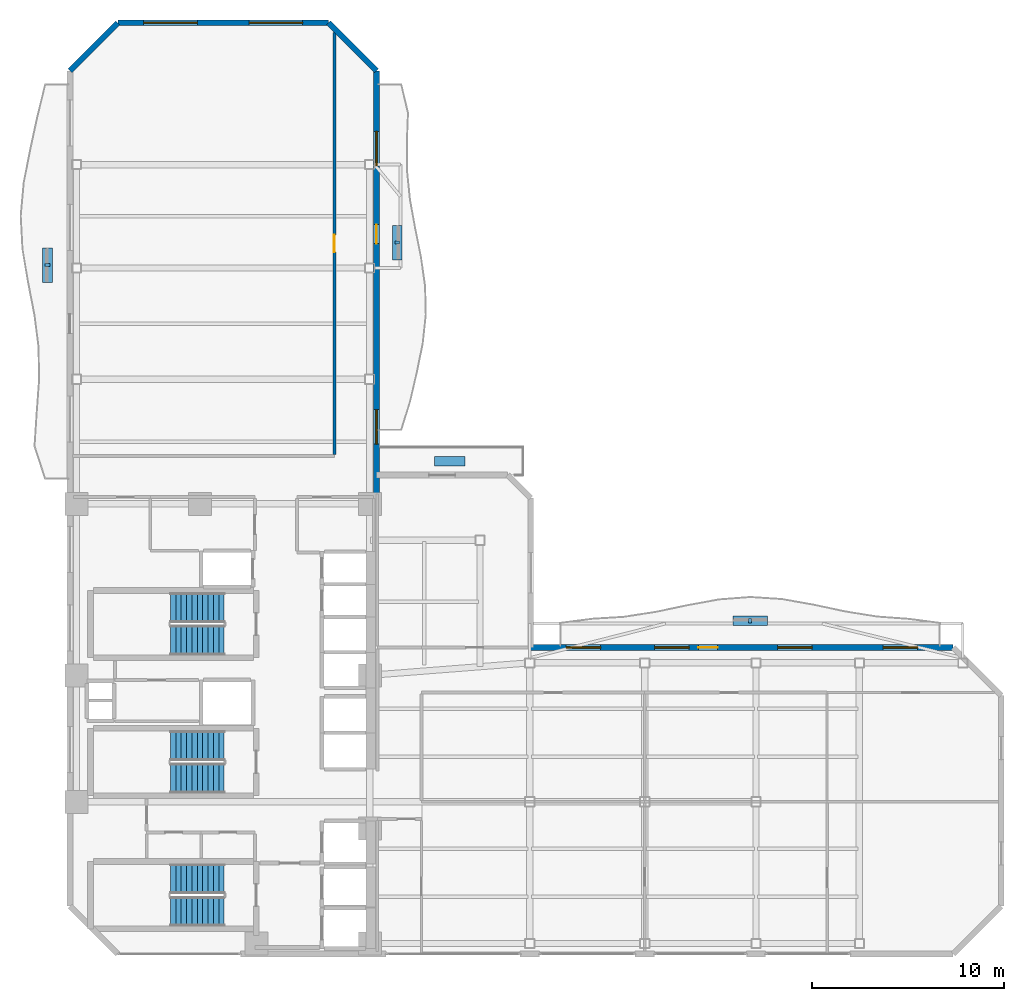
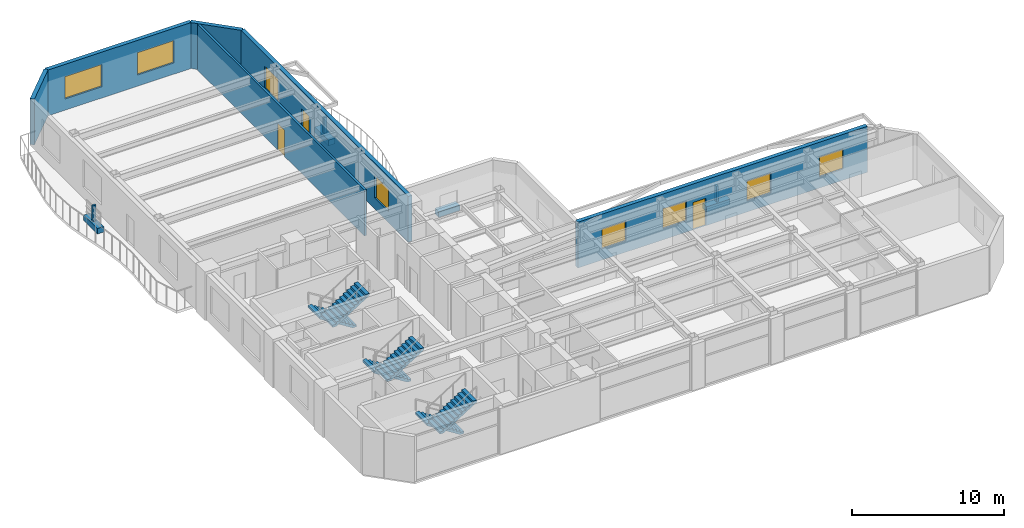
# One storey, part 12 of 15: 8 windows, 7 discrete accessories, 6 stair flights, 6 walls, 3 doors, 11 openings, 3 elements without a shape of their own.
"""IFC4 building model written with IfcOpenShell, lengths in metres."""

from ifc_helpers import new_model, si_unit, direction, frame, frame_2d, origin, origin_2d, place, context, subcontext, project, spatial, polyline, rectangle, outline, extrude, material, layer, layer_set, type_object, element, fill, aggregate, save


model = new_model("IFC4")

# Units and contexts
model_context = context("Model", 3, precision=1e-05, world=origin(), true_north=direction((0.0, 1.0)))
body_context = subcontext(model_context, "Body", "Model", "MODEL_VIEW")
ifc_project = project(units=[si_unit("LENGTHUNIT", "METRE"), si_unit("AREAUNIT", "SQUARE_METRE"), si_unit("VOLUMEUNIT", "CUBIC_METRE"), si_unit("PLANEANGLEUNIT", "RADIAN"), si_unit("MASSUNIT", "GRAM", prefix="KILO")], contexts=[model_context])

# Site, building, storey
site_placement = place(None, origin())
site = spatial("IfcSite", under=ifc_project, at=site_placement, CompositionType="ELEMENT")
building_placement = place(site_placement, origin())
building = spatial("IfcBuilding", under=site, at=building_placement, Name="Mawjaban Terraces University", CompositionType="ELEMENT")
storey_placement = place(building_placement, frame((0.0, 0.0, 142.39990234375)))
storey = spatial("IfcBuildingStorey", under=building, at=storey_placement, Name="L34", CompositionType="ELEMENT", Elevation=142.39990234375)

# Wall, opening, door
ifc_material_1 = material(Name="Fire-rated gypsum board on steel stud", Category="steel")
ifc_layer_1 = layer(ifc_material_1, 0.159912109375)
ifc_layer_set_1 = layer_set([ifc_layer_1], Name="Fire-rated gypsum board on steel stud")
wall_type_1 = type_object("IfcWallType", Name="CorridorPartition_160", PredefinedType="PARTITIONING", material=ifc_layer_set_1)
wall_1_placement = place(storey_placement, frame((35.800048828125, 48.094970703125, 0.0), z_axis=(0.0, 0.0, 1.0), x_axis=(0.0, -1.0, 0.0)))
wall_1 = element("IfcWall", 1, at=wall_1_placement, inside=storey, type_object=wall_type_1, Name="L34 Inner Terrace Gallery Corridor North Partition 30", PredefinedType="PARTITIONING", context=body_context, shape_type="SweptSolid", body=[
    extrude(rectangle(XDim=22.02001953125, YDim=0.159912109375, at=frame_2d((11.010009765625, 0.0))), origin(), (0.0, 0.0, 1.0), 3.690185546875),
])
opening_1_placement = place(wall_1_placement, frame((10.56005859375, 0.0, 0.0)))
opening_1 = element("IfcOpeningElement", 2, at=opening_1_placement, cuts=wall_1, Name="Opening ID-090", PredefinedType="OPENING", context=body_context, shape_type="SweptSolid", body=[
    extrude(rectangle(XDim=0.89990234375, YDim=2.10009765625, at=frame_2d((0.449951171875, 1.050048828125))), frame((0.0, 0.08984375, 0.0), z_axis=(0.0, -1.0, 0.0), x_axis=(1.0, 0.0, 0.0)), (0.0, 0.0, 1.0), 0.179931640625),
])
ifc_material_2 = material(Name="Powder-coated steel frame and solid acoustic timber leaf", Category="steel")
door_type_1 = type_object("IfcDoorType", Name="OfficeDoor_900x2100", OperationType="NOTDEFINED", PredefinedType="DOOR", material=ifc_material_2)
door_1_placement = place(opening_1_placement, origin())
door_1 = element("IfcDoor", 3, at=door_1_placement, inside=storey, type_object=door_type_1, Name="L34 Collaborative Study Room 8 Door", OperationType="SINGLE_SWING_LEFT", OverallHeight=2.10009765625, OverallWidth=0.89990234375, PredefinedType="DOOR", context=body_context, shape_type="SweptSolid", body=[
    extrude(rectangle(XDim=0.89990234375, YDim=2.10009765625, at=frame_2d((0.449951171875, 1.050048828125))), frame((0.0, 0.02490234375, 0.0), z_axis=(0.0, -1.0, 0.0), x_axis=(1.0, 0.0, 0.0)), (0.0, 0.0, 1.0), 0.050048828125),
])
fill(opening_1, door_1)

# Wall, openings, door, windows
ifc_material_3 = material(Name="Insulated terracotta rainscreen on concrete backup C40/50", Category="masonry")
ifc_layer_2 = layer(ifc_material_3, 0.300048828125)
ifc_layer_set_2 = layer_set([ifc_layer_2], Name="Insulated terracotta rainscreen on concrete backup C40/50")
wall_type_2 = type_object("IfcWallType", Name="ExtTerracottaWall_300", PredefinedType="SOLIDWALL", material=ifc_layer_set_2)
wall_2_placement = place(storey_placement, frame((68.10009765625, 16.0, 0.0), z_axis=(0.0, 0.0, 1.0), x_axis=(-1.0, 0.0, 0.0)))
wall_2 = element("IfcWall", 4, at=wall_2_placement, inside=storey, type_object=wall_type_2, Name="L34 Exterior Terracotta Wall 5", PredefinedType="SOLIDWALL", context=body_context, shape_type="SweptSolid", body=[
    extrude(rectangle(XDim=22.05419921875, YDim=0.300048828125, at=frame_2d((11.027099609375, 0.0))), origin(), (0.0, 0.0, 1.0), 3.690185546875),
])
opening_2_placement = place(wall_2_placement, frame((12.300048828125, 0.0, 0.0)))
opening_2 = element("IfcOpeningElement", 5, at=opening_2_placement, cuts=wall_2, Name="Opening BD-100", PredefinedType="OPENING", context=body_context, shape_type="SweptSolid", body=[
    extrude(rectangle(XDim=1.0, YDim=2.199951171875, at=frame_2d((0.5, 1.10009765625))), frame((0.0, 0.159912109375, 0.0), z_axis=(0.0, -1.0, 0.0), x_axis=(1.0, 0.0, 0.0)), (0.0, 0.0, 1.0), 0.320068359375),
])
opening_3_placement = place(wall_2_placement, frame((1.85693359375, 0.0, 0.89990234375)))
opening_3 = element("IfcOpeningElement", 6, at=opening_3_placement, cuts=wall_2, Name="Opening W-03", PredefinedType="OPENING", context=body_context, shape_type="SweptSolid", body=[
    extrude(rectangle(XDim=1.800048828125, YDim=1.60009765625, at=frame_2d((0.89990234375, 0.800048828125))), frame((0.0, 0.159912109375, 0.0), z_axis=(0.0, -1.0, 0.0), x_axis=(1.0, 0.0, 0.0)), (0.0, 0.0, 1.0), 0.320068359375),
])
opening_4_placement = place(wall_2_placement, frame((7.3701171875, 0.0, 0.89990234375)))
opening_4 = element("IfcOpeningElement", 7, at=opening_4_placement, cuts=wall_2, Name="Opening W-03", PredefinedType="OPENING", context=body_context, shape_type="SweptSolid", body=[
    extrude(rectangle(XDim=1.800048828125, YDim=1.60009765625, at=frame_2d((0.89990234375, 0.800048828125))), frame((0.0, 0.159912109375, 0.0), z_axis=(0.0, -1.0, 0.0), x_axis=(1.0, 0.0, 0.0)), (0.0, 0.0, 1.0), 0.320068359375),
])
opening_5_placement = place(wall_2_placement, frame((13.783935546875, 0.0, 0.89990234375)))
opening_5 = element("IfcOpeningElement", 8, at=opening_5_placement, cuts=wall_2, Name="Opening W-03", PredefinedType="OPENING", context=body_context, shape_type="SweptSolid", body=[
    extrude(rectangle(XDim=1.800048828125, YDim=1.60009765625, at=frame_2d((0.89990234375, 0.800048828125))), frame((0.0, 0.159912109375, 0.0), z_axis=(0.0, -1.0, 0.0), x_axis=(1.0, 0.0, 0.0)), (0.0, 0.0, 1.0), 0.320068359375),
])
opening_6_placement = place(wall_2_placement, frame((18.39697265625, 0.0, 0.89990234375)))
opening_6 = element("IfcOpeningElement", 9, at=opening_6_placement, cuts=wall_2, Name="Opening W-03", PredefinedType="OPENING", context=body_context, shape_type="SweptSolid", body=[
    extrude(rectangle(XDim=1.800048828125, YDim=1.60009765625, at=frame_2d((0.89990234375, 0.800048828125))), frame((0.0, 0.159912109375, 0.0), z_axis=(0.0, -1.0, 0.0), x_axis=(1.0, 0.0, 0.0)), (0.0, 0.0, 1.0), 0.320068359375),
])
ifc_material_4 = material(Name="Thermally broken anodised aluminium and laminated safety glass", Category="aluminium")
door_type_2 = type_object("IfcDoorType", Name="BalconyGlazedDoor_1000x2200", OperationType="NOTDEFINED", PredefinedType="DOOR", material=ifc_material_4)
door_2_placement = place(opening_2_placement, origin())
door_2 = element("IfcDoor", 10, at=door_2_placement, inside=storey, type_object=door_type_2, Name="L34 Balcony Access Door inner_north", OperationType="SINGLE_SWING_LEFT", OverallHeight=2.199951171875, OverallWidth=1.0, PredefinedType="DOOR", context=body_context, shape_type="SweptSolid", body=[
    extrude(rectangle(XDim=1.0, YDim=2.199951171875, at=frame_2d((0.5, 1.10009765625))), frame((0.0, 0.02490234375, 0.0), z_axis=(0.0, -1.0, 0.0), x_axis=(1.0, 0.0, 0.0)), (0.0, 0.0, 1.0), 0.050048828125),
])
fill(opening_2, door_2)
ifc_material_5 = material(Name="Low-E solar-control double glazing in thermally broken aluminium frame", Category="aluminium")
window_type_1 = type_object("IfcWindowType", Name="Win_1800x1600", PartitioningType="SINGLE_PANEL", PredefinedType="WINDOW", material=ifc_material_5)
window_1_placement = place(opening_3_placement, origin())
window_1 = element("IfcWindow", 11, at=window_1_placement, inside=storey, type_object=window_type_1, Name="L34 Facade Window 5.1", OverallHeight=1.60009765625, OverallWidth=1.800048828125, PartitioningType="SINGLE_PANEL", PredefinedType="WINDOW", context=body_context, shape_type="SweptSolid", body=[
    extrude(rectangle(XDim=1.800048828125, YDim=1.60009765625, at=frame_2d((0.89990234375, 0.800048828125))), frame((0.0, 0.030029296875, 0.0), z_axis=(0.0, -1.0, 0.0), x_axis=(1.0, 0.0, 0.0)), (0.0, 0.0, 1.0), 0.06005859375),
])
fill(opening_3, window_1)
window_2_placement = place(opening_4_placement, origin())
window_2 = element("IfcWindow", 12, at=window_2_placement, inside=storey, type_object=window_type_1, Name="L34 Facade Window 5.2", OverallHeight=1.60009765625, OverallWidth=1.800048828125, PartitioningType="SINGLE_PANEL", PredefinedType="WINDOW", context=body_context, shape_type="SweptSolid", body=[
    extrude(rectangle(XDim=1.800048828125, YDim=1.60009765625, at=frame_2d((0.89990234375, 0.800048828125))), frame((0.0, 0.030029296875, 0.0), z_axis=(0.0, -1.0, 0.0), x_axis=(1.0, 0.0, 0.0)), (0.0, 0.0, 1.0), 0.06005859375),
])
fill(opening_4, window_2)
window_3_placement = place(opening_5_placement, origin())
window_3 = element("IfcWindow", 13, at=window_3_placement, inside=storey, type_object=window_type_1, Name="L34 Facade Window 5.3", OverallHeight=1.60009765625, OverallWidth=1.800048828125, PartitioningType="SINGLE_PANEL", PredefinedType="WINDOW", context=body_context, shape_type="SweptSolid", body=[
    extrude(rectangle(XDim=1.800048828125, YDim=1.60009765625, at=frame_2d((0.89990234375, 0.800048828125))), frame((0.0, 0.030029296875, 0.0), z_axis=(0.0, -1.0, 0.0), x_axis=(1.0, 0.0, 0.0)), (0.0, 0.0, 1.0), 0.06005859375),
])
fill(opening_5, window_3)
window_4_placement = place(opening_6_placement, origin())
window_4 = element("IfcWindow", 14, at=window_4_placement, inside=storey, type_object=window_type_1, Name="L34 Facade Window 5.4", OverallHeight=1.60009765625, OverallWidth=1.800048828125, PartitioningType="SINGLE_PANEL", PredefinedType="WINDOW", context=body_context, shape_type="SweptSolid", body=[
    extrude(rectangle(XDim=1.800048828125, YDim=1.60009765625, at=frame_2d((0.89990234375, 0.800048828125))), frame((0.0, 0.030029296875, 0.0), z_axis=(0.0, -1.0, 0.0), x_axis=(1.0, 0.0, 0.0)), (0.0, 0.0, 1.0), 0.06005859375),
])
fill(opening_6, window_4)

wall_3_placement = place(storey_placement, frame((38.0, 24.0, 0.0), z_axis=(0.0, 0.0, 1.0), x_axis=(0.0, 1.0, 0.0)))
wall_3 = element("IfcWall", 15, at=wall_3_placement, inside=storey, type_object=wall_type_2, Name="L34 Exterior Terracotta Wall 9", PredefinedType="SOLIDWALL", context=body_context, shape_type="SweptSolid", body=[
    extrude(rectangle(XDim=22.10009765625, YDim=0.300048828125, at=frame_2d((11.050048828125, 0.0))), origin(), (0.0, 0.0, 1.0), 3.690185546875),
])
opening_7_placement = place(wall_3_placement, frame((13.074951171875, 0.0, 0.0)))
opening_7 = element("IfcOpeningElement", 16, at=opening_7_placement, cuts=wall_3, Name="Opening BD-100", PredefinedType="OPENING", context=body_context, shape_type="SweptSolid", body=[
    extrude(rectangle(XDim=1.0, YDim=2.199951171875, at=frame_2d((0.5, 1.10009765625))), frame((0.0, 0.159912109375, 0.0), z_axis=(0.0, -1.0, 0.0), x_axis=(1.0, 0.0, 0.0)), (0.0, 0.0, 1.0), 0.320068359375),
])
opening_8_placement = place(wall_3_placement, frame((2.616943359375, 0.0, 0.89990234375)))
opening_8 = element("IfcOpeningElement", 17, at=opening_8_placement, cuts=wall_3, Name="Opening W-07", PredefinedType="OPENING", context=body_context, shape_type="SweptSolid", body=[
    extrude(rectangle(XDim=1.800048828125, YDim=1.800048828125, at=frame_2d((0.89990234375, 0.89990234375))), frame((0.0, 0.159912109375, 0.0), z_axis=(0.0, -1.0, 0.0), x_axis=(1.0, 0.0, 0.0)), (0.0, 0.0, 1.0), 0.320068359375),
])
opening_9_placement = place(wall_3_placement, frame((17.133056640625, 0.0, 0.89990234375)))
opening_9 = element("IfcOpeningElement", 18, at=opening_9_placement, cuts=wall_3, Name="Opening W-07", PredefinedType="OPENING", context=body_context, shape_type="SweptSolid", body=[
    extrude(rectangle(XDim=1.800048828125, YDim=1.800048828125, at=frame_2d((0.89990234375, 0.89990234375))), frame((0.0, 0.159912109375, 0.0), z_axis=(0.0, -1.0, 0.0), x_axis=(1.0, 0.0, 0.0)), (0.0, 0.0, 1.0), 0.320068359375),
])
door_3_placement = place(opening_7_placement, origin())
door_3 = element("IfcDoor", 19, at=door_3_placement, inside=storey, type_object=door_type_2, Name="L34 Balcony Access Door inner_east", OperationType="SINGLE_SWING_LEFT", OverallHeight=2.199951171875, OverallWidth=1.0, PredefinedType="DOOR", context=body_context, shape_type="SweptSolid", body=[
    extrude(rectangle(XDim=1.0, YDim=2.199951171875, at=frame_2d((0.5, 1.10009765625))), frame((0.0, 0.02490234375, 0.0), z_axis=(0.0, -1.0, 0.0), x_axis=(1.0, 0.0, 0.0)), (0.0, 0.0, 1.0), 0.050048828125),
])
fill(opening_7, door_3)
window_type_2 = type_object("IfcWindowType", Name="Win_1800x1800", PartitioningType="SINGLE_PANEL", PredefinedType="WINDOW", material=ifc_material_5)
window_5_placement = place(opening_8_placement, origin())
window_5 = element("IfcWindow", 20, at=window_5_placement, inside=storey, type_object=window_type_2, Name="L34 Facade Window 9.1", OverallHeight=1.800048828125, OverallWidth=1.800048828125, PartitioningType="SINGLE_PANEL", PredefinedType="WINDOW", context=body_context, shape_type="SweptSolid", body=[
    extrude(rectangle(XDim=1.800048828125, YDim=1.800048828125, at=frame_2d((0.89990234375, 0.89990234375))), frame((0.0, 0.030029296875, 0.0), z_axis=(0.0, -1.0, 0.0), x_axis=(1.0, 0.0, 0.0)), (0.0, 0.0, 1.0), 0.06005859375),
])
fill(opening_8, window_5)
window_6_placement = place(opening_9_placement, origin())
window_6 = element("IfcWindow", 21, at=window_6_placement, inside=storey, type_object=window_type_2, Name="L34 Facade Window 9.3", OverallHeight=1.800048828125, OverallWidth=1.800048828125, PartitioningType="SINGLE_PANEL", PredefinedType="WINDOW", context=body_context, shape_type="SweptSolid", body=[
    extrude(rectangle(XDim=1.800048828125, YDim=1.800048828125, at=frame_2d((0.89990234375, 0.89990234375))), frame((0.0, 0.030029296875, 0.0), z_axis=(0.0, -1.0, 0.0), x_axis=(1.0, 0.0, 0.0)), (0.0, 0.0, 1.0), 0.06005859375),
])
fill(opening_9, window_6)

# Wall
wall_4_placement = place(storey_placement, frame((38.0, 46.10009765625, 0.0), z_axis=(0.0, 0.0, 1.0), x_axis=(-0.707106781187, 0.707106781187, 0.0)))
element("IfcWall", 22, at=wall_4_placement, inside=storey, type_object=wall_type_2, Name="L34 Exterior Terracotta Wall 10", PredefinedType="SOLIDWALL", context=body_context, shape_type="SweptSolid", body=[
    extrude(rectangle(XDim=3.53564453125, YDim=0.300048828125, at=frame_2d((1.767822265625, 0.0))), origin(), (0.0, 0.0, 1.0), 3.690185546875),
])

# Wall, openings, windows
wall_5_placement = place(storey_placement, frame((35.5, 48.60009765625, 0.0), z_axis=(0.0, 0.0, 1.0), x_axis=(-1.0, 0.0, 0.0)))
wall_5 = element("IfcWall", 23, at=wall_5_placement, inside=storey, type_object=wall_type_2, Name="L34 Exterior Terracotta Wall 11", PredefinedType="SOLIDWALL", context=body_context, shape_type="SweptSolid", body=[
    extrude(rectangle(XDim=11.0, YDim=0.300048828125, at=frame_2d((5.5, 0.0))), origin(), (0.0, 0.0, 1.0), 3.690185546875),
])
opening_10_placement = place(wall_5_placement, frame((1.35009765625, 0.0, 0.89990234375)))
opening_10 = element("IfcOpeningElement", 24, at=opening_10_placement, cuts=wall_5, Name="Opening W-09", PredefinedType="OPENING", context=body_context, shape_type="SweptSolid", body=[
    extrude(rectangle(XDim=2.800048828125, YDim=1.800048828125, at=frame_2d((1.39990234375, 0.89990234375))), frame((0.0, 0.159912109375, 0.0), z_axis=(0.0, -1.0, 0.0), x_axis=(1.0, 0.0, 0.0)), (0.0, 0.0, 1.0), 0.320068359375),
])
opening_11_placement = place(wall_5_placement, frame((6.85009765625, 0.0, 0.89990234375)))
opening_11 = element("IfcOpeningElement", 25, at=opening_11_placement, cuts=wall_5, Name="Opening W-09", PredefinedType="OPENING", context=body_context, shape_type="SweptSolid", body=[
    extrude(rectangle(XDim=2.800048828125, YDim=1.800048828125, at=frame_2d((1.39990234375, 0.89990234375))), frame((0.0, 0.159912109375, 0.0), z_axis=(0.0, -1.0, 0.0), x_axis=(1.0, 0.0, 0.0)), (0.0, 0.0, 1.0), 0.320068359375),
])
window_type_3 = type_object("IfcWindowType", Name="Win_2800x1800", PartitioningType="SINGLE_PANEL", PredefinedType="WINDOW", material=ifc_material_5)
window_7_placement = place(opening_10_placement, origin())
window_7 = element("IfcWindow", 26, at=window_7_placement, inside=storey, type_object=window_type_3, Name="L34 Facade Window 11.1", OverallHeight=1.800048828125, OverallWidth=2.800048828125, PartitioningType="SINGLE_PANEL", PredefinedType="WINDOW", context=body_context, shape_type="SweptSolid", body=[
    extrude(rectangle(XDim=2.800048828125, YDim=1.800048828125, at=frame_2d((1.39990234375, 0.89990234375))), frame((0.0, 0.030029296875, 0.0), z_axis=(0.0, -1.0, 0.0), x_axis=(1.0, 0.0, 0.0)), (0.0, 0.0, 1.0), 0.06005859375),
])
fill(opening_10, window_7)
window_8_placement = place(opening_11_placement, origin())
window_8 = element("IfcWindow", 27, at=window_8_placement, inside=storey, type_object=window_type_3, Name="L34 Facade Window 11.2", OverallHeight=1.800048828125, OverallWidth=2.800048828125, PartitioningType="SINGLE_PANEL", PredefinedType="WINDOW", context=body_context, shape_type="SweptSolid", body=[
    extrude(rectangle(XDim=2.800048828125, YDim=1.800048828125, at=frame_2d((1.39990234375, 0.89990234375))), frame((0.0, 0.030029296875, 0.0), z_axis=(0.0, -1.0, 0.0), x_axis=(1.0, 0.0, 0.0)), (0.0, 0.0, 1.0), 0.06005859375),
])
fill(opening_11, window_8)

# Wall
wall_6_placement = place(storey_placement, frame((24.5, 48.60009765625, 0.0), z_axis=(0.0, 0.0, 1.0), x_axis=(-0.707106781187, -0.707106781187, 0.0)))
element("IfcWall", 28, at=wall_6_placement, inside=storey, type_object=wall_type_2, Name="L34 Exterior Terracotta Wall 12", PredefinedType="SOLIDWALL", context=body_context, shape_type="SweptSolid", body=[
    extrude(rectangle(XDim=3.53564453125, YDim=0.300048828125, at=frame_2d((1.767822265625, 0.0))), origin(), (0.0, 0.0, 1.0), 3.690185546875),
])

# Stair, stair flights
ifc_material_6 = material(Name="Concrete C40/50", Category="concrete")
stair_type = type_object("IfcStairType", Name="Stair_Core1550_H39", PredefinedType="HALF_TURN_STAIR", material=ifc_material_6)
stair_1_placement = place(storey_placement, origin())
stair_1 = element("IfcStair", 29, at=stair_1_placement, inside=storey, type_object=stair_type, Name="L34 Core Exit Stair 1", PredefinedType="HALF_TURN_STAIR")
stair_flight_type = type_object("IfcStairFlightType", Name="Flight_Core1550_H39", PredefinedType="STRAIGHT", material=ifc_material_6)
stair_flight_1_placement = place(storey_placement, frame((30.050048828125, 3.925048828125, 0.0), z_axis=(0.0, 0.0, 1.0), x_axis=(-1.0, 0.0, 0.0)))
stair_flight_1 = element("IfcStairFlight", 30, at=stair_flight_1_placement, type_object=stair_flight_type, Name="ST-1 flight 1", NumberOfRisers=11, NumberOfTreads=10, PredefinedType="STRAIGHT", RiserHeight=0.177272727, TreadLength=0.28, context=body_context, shape_type="SweptSolid", body=[
    extrude(outline(polyline([(0.0, 0.0), (0.0, 0.17724609375), (0.280029296875, 0.17724609375), (0.280029296875, 0.3544921875), (0.56005859375, 0.3544921875), (0.56005859375, 0.53173828125), (0.840087890625, 0.53173828125), (0.840087890625, 0.708984375), (1.1201171875, 0.708984375), (1.1201171875, 0.886474609375), (1.39990234375, 0.886474609375), (1.39990234375, 1.063720703125), (1.679931640625, 1.063720703125), (1.679931640625, 1.240966796875), (1.9599609375, 1.240966796875), (1.9599609375, 1.418212890625), (2.239990234375, 1.418212890625), (2.239990234375, 1.595458984375), (2.52001953125, 1.595458984375), (2.52001953125, 1.772705078125), (2.800048828125, 1.772705078125), (2.800048828125, 1.949951171875), (2.800048828125, 1.59521484375), (0.2802734375, 0.0), (0.0, 0.0)])), frame((0.0, 0.77490234375, 0.0), z_axis=(0.0, -1.0, 0.0), x_axis=(1.0, 0.0, 0.0)), (0.0, 0.0, 1.0), 1.550048828125),
])
stair_flight_2_placement = place(storey_placement, frame((27.25, 2.22509765625, 1.9501953125), z_axis=(0.0, 0.0, 1.0), x_axis=(1.0, 0.0, 0.0)))
stair_flight_2 = element("IfcStairFlight", 31, at=stair_flight_2_placement, type_object=stair_flight_type, Name="ST-1 flight 2", NumberOfRisers=11, NumberOfTreads=10, PredefinedType="STRAIGHT", RiserHeight=0.177272727, TreadLength=0.28, context=body_context, shape_type="SweptSolid", body=[
    extrude(outline(polyline([(0.0, 0.0), (0.0, 0.17724609375), (0.280029296875, 0.17724609375), (0.280029296875, 0.3544921875), (0.56005859375, 0.3544921875), (0.56005859375, 0.53173828125), (0.840087890625, 0.53173828125), (0.840087890625, 0.708984375), (1.1201171875, 0.708984375), (1.1201171875, 0.886474609375), (1.39990234375, 0.886474609375), (1.39990234375, 1.063720703125), (1.679931640625, 1.063720703125), (1.679931640625, 1.240966796875), (1.9599609375, 1.240966796875), (1.9599609375, 1.418212890625), (2.239990234375, 1.418212890625), (2.239990234375, 1.595458984375), (2.52001953125, 1.595458984375), (2.52001953125, 1.772705078125), (2.800048828125, 1.772705078125), (2.800048828125, 1.949951171875), (2.800048828125, 1.59521484375), (0.2802734375, 0.0), (0.0, 0.0)])), frame((0.0, 0.77490234375, 0.0), z_axis=(0.0, -1.0, 0.0), x_axis=(1.0, 0.0, 0.0)), (0.0, 0.0, 1.0), 1.550048828125),
])
aggregate(stair_1, [stair_flight_1, stair_flight_2])

stair_2_placement = place(storey_placement, origin())
stair_2 = element("IfcStair", 32, at=stair_2_placement, inside=storey, type_object=stair_type, Name="L34 Core Exit Stair 2", PredefinedType="HALF_TURN_STAIR")
stair_flight_3_placement = place(storey_placement, frame((30.050048828125, 18.074951171875, 0.0), z_axis=(0.0, 0.0, 1.0), x_axis=(-1.0, 0.0, 0.0)))
stair_flight_3 = element("IfcStairFlight", 33, at=stair_flight_3_placement, type_object=stair_flight_type, Name="ST-2 flight 1", NumberOfRisers=11, NumberOfTreads=10, PredefinedType="STRAIGHT", RiserHeight=0.177272727, TreadLength=0.28, context=body_context, shape_type="SweptSolid", body=[
    extrude(outline(polyline([(0.0, 0.0), (0.0, 0.17724609375), (0.280029296875, 0.17724609375), (0.280029296875, 0.3544921875), (0.56005859375, 0.3544921875), (0.56005859375, 0.53173828125), (0.840087890625, 0.53173828125), (0.840087890625, 0.708984375), (1.1201171875, 0.708984375), (1.1201171875, 0.886474609375), (1.39990234375, 0.886474609375), (1.39990234375, 1.063720703125), (1.679931640625, 1.063720703125), (1.679931640625, 1.240966796875), (1.9599609375, 1.240966796875), (1.9599609375, 1.418212890625), (2.239990234375, 1.418212890625), (2.239990234375, 1.595458984375), (2.52001953125, 1.595458984375), (2.52001953125, 1.772705078125), (2.800048828125, 1.772705078125), (2.800048828125, 1.949951171875), (2.800048828125, 1.59521484375), (0.2802734375, 0.0), (0.0, 0.0)])), frame((0.0, 0.77490234375, 0.0), z_axis=(0.0, -1.0, 0.0), x_axis=(1.0, 0.0, 0.0)), (0.0, 0.0, 1.0), 1.550048828125),
])
stair_flight_4_placement = place(storey_placement, frame((27.25, 16.375, 1.9501953125), z_axis=(0.0, 0.0, 1.0), x_axis=(1.0, 0.0, 0.0)))
stair_flight_4 = element("IfcStairFlight", 34, at=stair_flight_4_placement, type_object=stair_flight_type, Name="ST-2 flight 2", NumberOfRisers=11, NumberOfTreads=10, PredefinedType="STRAIGHT", RiserHeight=0.177272727, TreadLength=0.28, context=body_context, shape_type="SweptSolid", body=[
    extrude(outline(polyline([(0.0, 0.0), (0.0, 0.17724609375), (0.280029296875, 0.17724609375), (0.280029296875, 0.3544921875), (0.56005859375, 0.3544921875), (0.56005859375, 0.53173828125), (0.840087890625, 0.53173828125), (0.840087890625, 0.708984375), (1.1201171875, 0.708984375), (1.1201171875, 0.886474609375), (1.39990234375, 0.886474609375), (1.39990234375, 1.063720703125), (1.679931640625, 1.063720703125), (1.679931640625, 1.240966796875), (1.9599609375, 1.240966796875), (1.9599609375, 1.418212890625), (2.239990234375, 1.418212890625), (2.239990234375, 1.595458984375), (2.52001953125, 1.595458984375), (2.52001953125, 1.772705078125), (2.800048828125, 1.772705078125), (2.800048828125, 1.949951171875), (2.800048828125, 1.59521484375), (0.2802734375, 0.0), (0.0, 0.0)])), frame((0.0, 0.77490234375, 0.0), z_axis=(0.0, -1.0, 0.0), x_axis=(1.0, 0.0, 0.0)), (0.0, 0.0, 1.0), 1.550048828125),
])
aggregate(stair_2, [stair_flight_3, stair_flight_4])

stair_3_placement = place(storey_placement, origin())
stair_3 = element("IfcStair", 35, at=stair_3_placement, inside=storey, type_object=stair_type, Name="L34 Core Exit Stair 3", PredefinedType="HALF_TURN_STAIR")
stair_flight_5_placement = place(storey_placement, frame((30.050048828125, 10.875, 0.0), z_axis=(0.0, 0.0, 1.0), x_axis=(-1.0, 0.0, 0.0)))
stair_flight_5 = element("IfcStairFlight", 36, at=stair_flight_5_placement, type_object=stair_flight_type, Name="ST-3 flight 1", NumberOfRisers=11, NumberOfTreads=10, PredefinedType="STRAIGHT", RiserHeight=0.177272727, TreadLength=0.28, context=body_context, shape_type="SweptSolid", body=[
    extrude(outline(polyline([(0.0, 0.0), (0.0, 0.17724609375), (0.280029296875, 0.17724609375), (0.280029296875, 0.3544921875), (0.56005859375, 0.3544921875), (0.56005859375, 0.53173828125), (0.840087890625, 0.53173828125), (0.840087890625, 0.708984375), (1.1201171875, 0.708984375), (1.1201171875, 0.886474609375), (1.39990234375, 0.886474609375), (1.39990234375, 1.063720703125), (1.679931640625, 1.063720703125), (1.679931640625, 1.240966796875), (1.9599609375, 1.240966796875), (1.9599609375, 1.418212890625), (2.239990234375, 1.418212890625), (2.239990234375, 1.595458984375), (2.52001953125, 1.595458984375), (2.52001953125, 1.772705078125), (2.800048828125, 1.772705078125), (2.800048828125, 1.949951171875), (2.800048828125, 1.59521484375), (0.2802734375, 0.0), (0.0, 0.0)])), frame((0.0, 0.77490234375, 0.0), z_axis=(0.0, -1.0, 0.0), x_axis=(1.0, 0.0, 0.0)), (0.0, 0.0, 1.0), 1.550048828125),
])
stair_flight_6_placement = place(storey_placement, frame((27.25, 9.175048828125, 1.9501953125), z_axis=(0.0, 0.0, 1.0), x_axis=(1.0, 0.0, 0.0)))
stair_flight_6 = element("IfcStairFlight", 37, at=stair_flight_6_placement, type_object=stair_flight_type, Name="ST-3 flight 2", NumberOfRisers=11, NumberOfTreads=10, PredefinedType="STRAIGHT", RiserHeight=0.177272727, TreadLength=0.28, context=body_context, shape_type="SweptSolid", body=[
    extrude(outline(polyline([(0.0, 0.0), (0.0, 0.17724609375), (0.280029296875, 0.17724609375), (0.280029296875, 0.3544921875), (0.56005859375, 0.3544921875), (0.56005859375, 0.53173828125), (0.840087890625, 0.53173828125), (0.840087890625, 0.708984375), (1.1201171875, 0.708984375), (1.1201171875, 0.886474609375), (1.39990234375, 0.886474609375), (1.39990234375, 1.063720703125), (1.679931640625, 1.063720703125), (1.679931640625, 1.240966796875), (1.9599609375, 1.240966796875), (1.9599609375, 1.418212890625), (2.239990234375, 1.418212890625), (2.239990234375, 1.595458984375), (2.52001953125, 1.595458984375), (2.52001953125, 1.772705078125), (2.800048828125, 1.772705078125), (2.800048828125, 1.949951171875), (2.800048828125, 1.59521484375), (0.2802734375, 0.0), (0.0, 0.0)])), frame((0.0, 0.77490234375, 0.0), z_axis=(0.0, -1.0, 0.0), x_axis=(1.0, 0.0, 0.0)), (0.0, 0.0, 1.0), 1.550048828125),
])
aggregate(stair_3, [stair_flight_5, stair_flight_6])

# Discrete accessories
ifc_material_7 = material(Name="Stainless steel 316L", Category="steel")
discrete_accessory_type_1 = type_object("IfcDiscreteAccessoryType", Name="FacadeScreenBracket_Steel", PredefinedType="BRACKET", material=ifc_material_7)
for number, where, z_axis, x_axis, name in (
    (38, (20.83203125, 35.958984375, 0.419921875), (0.0, 0.0, 1.0), (0.0, 1.0, 0.0), "L34 Balcony Screen Support Bracket west"),
    (39, (57.49609375, 17.405029296875, 0.419921875), (0.0, 0.0, 1.0), (1.0, 0.0, 0.0), "L34 Balcony Screen Support Bracket inner_north"),
    (40, (39.0859375, 37.126953125, 0.419921875), (0.0, 0.0, 1.0), (0.0, 1.0, 0.0), "L34 Balcony Screen Support Bracket inner_east"),
):
    element("IfcDiscreteAccessory", number, at=place(storey_placement, frame(where, z_axis=z_axis, x_axis=x_axis)), inside=storey, type_object=discrete_accessory_type_1, Name=name, PredefinedType="BRACKET", context=body_context, shape_type="SweptSolid", body=[
        extrude(rectangle(XDim=0.159912109375, YDim=0.239990234375, at=origin_2d()), origin(), (0.0, 0.0, 1.0), 1.300048828125),
    ])
ifc_material_8 = material(Name="Precast architectural terracotta planter with engineered planting soil", Category="masonry")
discrete_accessory_type_2 = type_object("IfcDiscreteAccessoryType", Name="IrrigatedPlanterTrough_450", PredefinedType="USERDEFINED", material=ifc_material_8)
for number, where, z_axis, x_axis, name in (
    (41, (20.83203125, 35.958984375, -0.0048828125), (0.0, 0.0, 1.0), (0.0, 1.0, 0.0), "L34 Balcony Irrigated Planter west"),
    (42, (57.49609375, 17.405029296875, -0.0048828125), (0.0, 0.0, 1.0), (1.0, 0.0, 0.0), "L34 Balcony Irrigated Planter inner_north"),
    (43, (39.0859375, 37.126953125, -0.0048828125), (0.0, 0.0, 1.0), (0.0, 1.0, 0.0), "L34 Balcony Irrigated Planter inner_east"),
):
    element("IfcDiscreteAccessory", number, at=place(storey_placement, frame(where, z_axis=z_axis, x_axis=x_axis)), inside=storey, type_object=discrete_accessory_type_2, Name=name, ObjectType="PLANTER", PredefinedType="USERDEFINED", context=body_context, shape_type="SweptSolid", body=[
        extrude(rectangle(XDim=1.800048828125, YDim=0.5, at=origin_2d()), origin(), (0.0, 0.0, 1.0), 0.449951171875),
    ])
discrete_accessory_placement = place(storey_placement, frame((41.822998046875, 25.72509765625, -0.0048828125), z_axis=(0.0, 0.0, 1.0), x_axis=(1.0, 0.0, 0.0)))
element("IfcDiscreteAccessory", 44, at=discrete_accessory_placement, inside=storey, type_object=discrete_accessory_type_2, Name="L34 Terrace Planter TER-L34-CLIMB", ObjectType="PLANTER", PredefinedType="USERDEFINED", context=body_context, shape_type="SweptSolid", body=[
    extrude(rectangle(XDim=1.60009765625, YDim=0.5, at=origin_2d()), origin(), (0.0, 0.0, 1.0), 0.449951171875),
])

save(model, "model.ifc")
